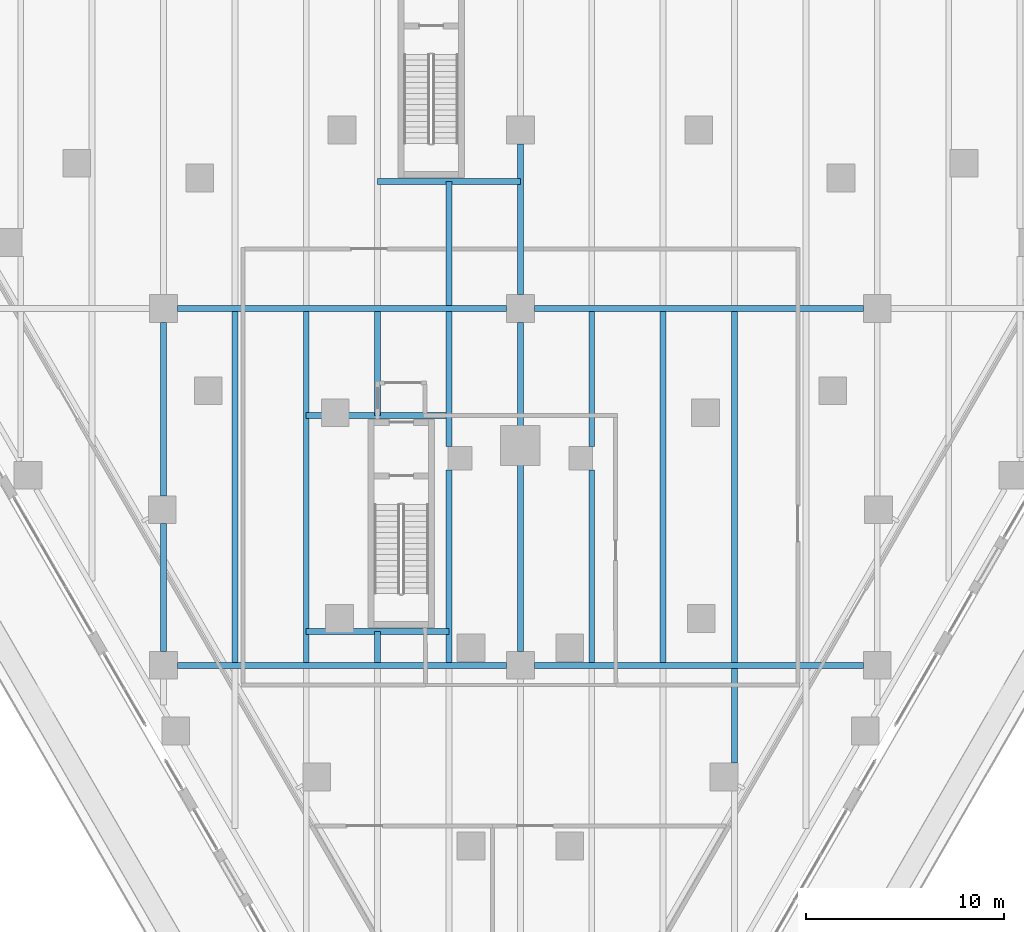
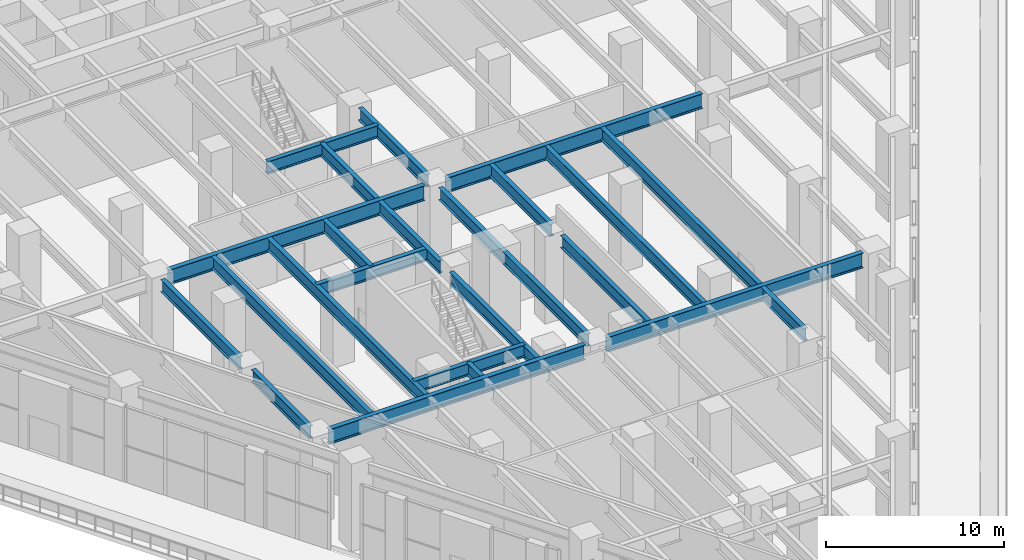
# One storey, part 7 of 40: 23 beams.
"""IFC4 building model written with IfcOpenShell, lengths in metres."""

from ifc_helpers import new_model, si_unit, direction, frame, origin, origin_2d, place, context, subcontext, project, spatial, i_section, extrude, material, material_profile, profile_set, type_object, element, save


model = new_model("IFC4")

# Units and contexts
model_context = context("Model", 3, precision=1e-05, world=origin(), true_north=direction((0.0, 1.0)))
body_context = subcontext(model_context, "Body", "Model", "MODEL_VIEW")
ifc_project = project(units=[si_unit("LENGTHUNIT", "METRE"), si_unit("AREAUNIT", "SQUARE_METRE"), si_unit("VOLUMEUNIT", "CUBIC_METRE"), si_unit("PLANEANGLEUNIT", "RADIAN"), si_unit("MASSUNIT", "GRAM", prefix="KILO")], contexts=[model_context])

# Site, building, storey
site_placement = place(None, origin())
site = spatial("IfcSite", under=ifc_project, at=site_placement, CompositionType="ELEMENT")
building_placement = place(site_placement, origin())
building = spatial("IfcBuilding", under=site, at=building_placement, Name="Aloe Facet Convention Tower", CompositionType="ELEMENT")
storey_placement = place(building_placement, frame((0.0, 0.0, 13.5)))
storey = spatial("IfcBuildingStorey", under=building, at=storey_placement, Name="L02", CompositionType="ELEMENT", Elevation=13.5)

# Beams
ifc_material_1 = material(Name="Steel S355", Category="steel")
ifc_material_profile_1 = material_profile(ifc_material_1, i_section(OverallWidth=0.305419921875, OverallDepth=1.02587890625, WebThickness=0.02001953125, FlangeThickness=0.031005859375, FilletRadius=0.030029296875, at=origin_2d()), Name="UB 1016x305x349")
ifc_profile_set_1 = profile_set([ifc_material_profile_1], Name="Steel S355")
beam_type_1 = type_object("IfcBeamType", Name="SF-B-UB1016x305x349", PredefinedType="BEAM", material=ifc_profile_set_1)
for number, where, z_axis, x_axis, name in (
    (1, (62.699951171875, 81.0, 5.237060546875), (1.0, 0.0, 0.0), (0.0, 1.0, 0.0), "Floor beam FB-L03-030"),
    (2, (62.699951171875, 99.0, 5.237060546875), (1.0, 0.0, 0.0), (0.0, 1.0, 0.0), "Floor beam FB-L03-031"),
    (3, (80.699951171875, 81.0, 5.237060546875), (1.0, 0.0, 0.0), (0.0, 1.0, 0.0), "Floor beam FB-L03-034"),
    (4, (80.699951171875, 99.0, 5.237060546875), (1.0, 0.0, 0.0), (0.0, 1.0, 0.0), "Floor beam FB-L03-035"),
):
    element("IfcBeam", number, at=place(storey_placement, frame(where, z_axis=z_axis, x_axis=x_axis)), inside=storey, type_object=beam_type_1, Name=name, PredefinedType="BEAM", context=body_context, shape_type="SweptSolid", body=[
        extrude(i_section(OverallWidth=0.305419921875, OverallDepth=1.02587890625, WebThickness=0.02001953125, FlangeThickness=0.031005859375, FilletRadius=0.030029296875, at=origin_2d()), origin(), (0.0, 0.0, 1.0), 16.60009765625),
    ])
ifc_material_2 = material(Name="Steel S355", Category="steel")
ifc_material_profile_2 = material_profile(ifc_material_2, i_section(OverallWidth=0.293701171875, OverallDepth=0.850830078125, WebThickness=0.01611328125, FlangeThickness=0.02685546875, FilletRadius=0.017822265625, at=origin_2d()), Name="UB 838x292x226")
ifc_profile_set_2 = profile_set([ifc_material_profile_2], Name="Steel S355")
beam_type_2 = type_object("IfcBeamType", Name="SF-B-UB838x292x226", PredefinedType="BEAM", material=ifc_profile_set_2)
beam_1_placement = place(storey_placement, frame((62.0, 81.699951171875, 5.324462890625), z_axis=(0.0, 1.0, 0.0), x_axis=(-1.0, 0.0, 0.0)))
element("IfcBeam", 5, at=beam_1_placement, inside=storey, type_object=beam_type_2, Name="Floor beam FB-L03-059", PredefinedType="BEAM", context=body_context, shape_type="SweptSolid", body=[
    extrude(i_section(OverallWidth=0.293701171875, OverallDepth=0.850830078125, WebThickness=0.01611328125, FlangeThickness=0.02685546875, FilletRadius=0.017822265625, at=origin_2d()), origin(), (0.0, 0.0, 1.0), 6.445068359375),
])
beam_2_placement = place(storey_placement, frame((62.0, 89.544921875, 5.324462890625), z_axis=(0.0, 1.0, 0.0), x_axis=(-1.0, 0.0, 0.0)))
element("IfcBeam", 6, at=beam_2_placement, inside=storey, type_object=beam_type_2, Name="Floor beam FB-L03-060", PredefinedType="BEAM", context=body_context, shape_type="SweptSolid", body=[
    extrude(i_section(OverallWidth=0.293701171875, OverallDepth=0.850830078125, WebThickness=0.01611328125, FlangeThickness=0.02685546875, FilletRadius=0.017822265625, at=origin_2d()), origin(), (0.0, 0.0, 1.0), 8.755126953125),
])
for number, where, z_axis, x_axis, name in (
    (7, (65.60009765625, 81.152587890625, 5.324462890625), (0.0, 1.0, 0.0), (-1.0, 0.0, 0.0), "Floor beam FB-L03-064"),
    (8, (69.199951171875, 81.152587890625, 5.324462890625), (0.0, 1.0, 0.0), (-1.0, 0.0, 0.0), "Floor beam FB-L03-069"),
):
    element("IfcBeam", number, at=place(storey_placement, frame(where, z_axis=z_axis, x_axis=x_axis)), inside=storey, type_object=beam_type_2, Name=name, PredefinedType="BEAM", context=body_context, shape_type="SweptSolid", body=[
        extrude(i_section(OverallWidth=0.293701171875, OverallDepth=0.850830078125, WebThickness=0.01611328125, FlangeThickness=0.02685546875, FilletRadius=0.017822265625, at=origin_2d()), origin(), (0.0, 0.0, 1.0), 17.69482421875),
    ])
for number, where, z_axis, x_axis, name in (
    (9, (69.199951171875, 82.699951171875, 5.324462890625), (1.0, 0.0, 0.0), (0.0, 1.0, 0.0), "Floor beam FB-L03-070"),
    (10, (69.199951171875, 93.60009765625, 5.324462890625), (1.0, 0.0, 0.0), (0.0, 1.0, 0.0), "Floor beam FB-L03-071"),
):
    element("IfcBeam", number, at=place(storey_placement, frame(where, z_axis=z_axis, x_axis=x_axis)), inside=storey, type_object=beam_type_2, Name=name, PredefinedType="BEAM", context=body_context, shape_type="SweptSolid", body=[
        extrude(i_section(OverallWidth=0.293701171875, OverallDepth=0.850830078125, WebThickness=0.01611328125, FlangeThickness=0.02685546875, FilletRadius=0.017822265625, at=origin_2d()), origin(), (0.0, 0.0, 1.0), 7.199951171875),
    ])
beam_3_placement = place(storey_placement, frame((72.800048828125, 81.152587890625, 5.324462890625), z_axis=(0.0, 1.0, 0.0), x_axis=(-1.0, 0.0, 0.0)))
element("IfcBeam", 11, at=beam_3_placement, inside=storey, type_object=beam_type_2, Name="Floor beam FB-L03-076", PredefinedType="BEAM", context=body_context, shape_type="SweptSolid", body=[
    extrude(i_section(OverallWidth=0.293701171875, OverallDepth=0.850830078125, WebThickness=0.01611328125, FlangeThickness=0.02685546875, FilletRadius=0.017822265625, at=origin_2d()), origin(), (0.0, 0.0, 1.0), 1.54736328125),
])
beam_4_placement = place(storey_placement, frame((72.800048828125, 93.60009765625, 5.324462890625), z_axis=(0.0, 1.0, 0.0), x_axis=(-1.0, 0.0, 0.0)))
element("IfcBeam", 12, at=beam_4_placement, inside=storey, type_object=beam_type_2, Name="Floor beam FB-L03-077", PredefinedType="BEAM", context=body_context, shape_type="SweptSolid", body=[
    extrude(i_section(OverallWidth=0.293701171875, OverallDepth=0.850830078125, WebThickness=0.01611328125, FlangeThickness=0.02685546875, FilletRadius=0.017822265625, at=origin_2d()), origin(), (0.0, 0.0, 1.0), 5.247314453125),
])
beam_5_placement = place(storey_placement, frame((72.800048828125, 105.39990234375, 5.324462890625), z_axis=(1.0, 0.0, 0.0), x_axis=(0.0, 1.0, 0.0)))
element("IfcBeam", 13, at=beam_5_placement, inside=storey, type_object=beam_type_2, Name="Floor beam FB-L03-079", PredefinedType="BEAM", context=body_context, shape_type="SweptSolid", body=[
    extrude(i_section(OverallWidth=0.293701171875, OverallDepth=0.850830078125, WebThickness=0.01611328125, FlangeThickness=0.02685546875, FilletRadius=0.017822265625, at=origin_2d()), origin(), (0.0, 0.0, 1.0), 7.199951171875),
])
beam_6_placement = place(storey_placement, frame((76.39990234375, 81.152587890625, 5.324462890625), z_axis=(0.0, 1.0, 0.0), x_axis=(-1.0, 0.0, 0.0)))
element("IfcBeam", 14, at=beam_6_placement, inside=storey, type_object=beam_type_2, Name="Floor beam FB-L03-083", PredefinedType="BEAM", context=body_context, shape_type="SweptSolid", body=[
    extrude(i_section(OverallWidth=0.293701171875, OverallDepth=0.850830078125, WebThickness=0.01611328125, FlangeThickness=0.02685546875, FilletRadius=0.017822265625, at=origin_2d()), origin(), (0.0, 0.0, 1.0), 9.68994140625),
])
beam_7_placement = place(storey_placement, frame((76.39990234375, 92.04248046875, 5.324462890625), z_axis=(0.0, 1.0, 0.0), x_axis=(-1.0, 0.0, 0.0)))
element("IfcBeam", 15, at=beam_7_placement, inside=storey, type_object=beam_type_2, Name="Floor beam FB-L03-084", PredefinedType="BEAM", context=body_context, shape_type="SweptSolid", body=[
    extrude(i_section(OverallWidth=0.293701171875, OverallDepth=0.850830078125, WebThickness=0.01611328125, FlangeThickness=0.02685546875, FilletRadius=0.017822265625, at=origin_2d()), origin(), (0.0, 0.0, 1.0), 6.804931640625),
])
beam_8_placement = place(storey_placement, frame((76.39990234375, 99.152587890625, 5.324462890625), z_axis=(0.0, 1.0, 0.0), x_axis=(-1.0, 0.0, 0.0)))
element("IfcBeam", 16, at=beam_8_placement, inside=storey, type_object=beam_type_2, Name="Floor beam FB-L03-085", PredefinedType="BEAM", context=body_context, shape_type="SweptSolid", body=[
    extrude(i_section(OverallWidth=0.293701171875, OverallDepth=0.850830078125, WebThickness=0.01611328125, FlangeThickness=0.02685546875, FilletRadius=0.017822265625, at=origin_2d()), origin(), (0.0, 0.0, 1.0), 6.247314453125),
])
beam_9_placement = place(storey_placement, frame((80.0, 81.699951171875, 5.324462890625), z_axis=(0.0, 1.0, 0.0), x_axis=(-1.0, 0.0, 0.0)))
element("IfcBeam", 17, at=beam_9_placement, inside=storey, type_object=beam_type_2, Name="Floor beam FB-L03-089", PredefinedType="BEAM", context=body_context, shape_type="SweptSolid", body=[
    extrude(i_section(OverallWidth=0.293701171875, OverallDepth=0.850830078125, WebThickness=0.01611328125, FlangeThickness=0.02685546875, FilletRadius=0.017822265625, at=origin_2d()), origin(), (0.0, 0.0, 1.0), 16.60009765625),
])
beam_10_placement = place(storey_placement, frame((80.0, 99.699951171875, 5.324462890625), z_axis=(0.0, 1.0, 0.0), x_axis=(-1.0, 0.0, 0.0)))
element("IfcBeam", 18, at=beam_10_placement, inside=storey, type_object=beam_type_2, Name="Floor beam FB-L03-090", PredefinedType="BEAM", context=body_context, shape_type="SweptSolid", body=[
    extrude(i_section(OverallWidth=0.293701171875, OverallDepth=0.850830078125, WebThickness=0.01611328125, FlangeThickness=0.02685546875, FilletRadius=0.017822265625, at=origin_2d()), origin(), (0.0, 0.0, 1.0), 7.60009765625),
])
beam_11_placement = place(storey_placement, frame((83.60009765625, 81.152587890625, 5.324462890625), z_axis=(0.0, 1.0, 0.0), x_axis=(-1.0, 0.0, 0.0)))
element("IfcBeam", 19, at=beam_11_placement, inside=storey, type_object=beam_type_2, Name="Floor beam FB-L03-095", PredefinedType="BEAM", context=body_context, shape_type="SweptSolid", body=[
    extrude(i_section(OverallWidth=0.293701171875, OverallDepth=0.850830078125, WebThickness=0.01611328125, FlangeThickness=0.02685546875, FilletRadius=0.017822265625, at=origin_2d()), origin(), (0.0, 0.0, 1.0), 9.68994140625),
])
beam_12_placement = place(storey_placement, frame((83.60009765625, 92.04248046875, 5.324462890625), z_axis=(0.0, 1.0, 0.0), x_axis=(-1.0, 0.0, 0.0)))
element("IfcBeam", 20, at=beam_12_placement, inside=storey, type_object=beam_type_2, Name="Floor beam FB-L03-096", PredefinedType="BEAM", context=body_context, shape_type="SweptSolid", body=[
    extrude(i_section(OverallWidth=0.293701171875, OverallDepth=0.850830078125, WebThickness=0.01611328125, FlangeThickness=0.02685546875, FilletRadius=0.017822265625, at=origin_2d()), origin(), (0.0, 0.0, 1.0), 6.804931640625),
])
beam_13_placement = place(storey_placement, frame((87.199951171875, 81.152587890625, 5.324462890625), z_axis=(0.0, 1.0, 0.0), x_axis=(-1.0, 0.0, 0.0)))
element("IfcBeam", 21, at=beam_13_placement, inside=storey, type_object=beam_type_2, Name="Floor beam FB-L03-101", PredefinedType="BEAM", context=body_context, shape_type="SweptSolid", body=[
    extrude(i_section(OverallWidth=0.293701171875, OverallDepth=0.850830078125, WebThickness=0.01611328125, FlangeThickness=0.02685546875, FilletRadius=0.017822265625, at=origin_2d()), origin(), (0.0, 0.0, 1.0), 17.69482421875),
])
beam_14_placement = place(storey_placement, frame((90.800048828125, 76.06591796875, 5.324462890625), z_axis=(0.0, 1.0, 0.0), x_axis=(-1.0, 0.0, 0.0)))
element("IfcBeam", 22, at=beam_14_placement, inside=storey, type_object=beam_type_2, Name="Floor beam FB-L03-105", PredefinedType="BEAM", context=body_context, shape_type="SweptSolid", body=[
    extrude(i_section(OverallWidth=0.293701171875, OverallDepth=0.850830078125, WebThickness=0.01611328125, FlangeThickness=0.02685546875, FilletRadius=0.017822265625, at=origin_2d()), origin(), (0.0, 0.0, 1.0), 4.781494140625),
])
beam_15_placement = place(storey_placement, frame((90.800048828125, 81.152587890625, 5.324462890625), z_axis=(0.0, 1.0, 0.0), x_axis=(-1.0, 0.0, 0.0)))
element("IfcBeam", 23, at=beam_15_placement, inside=storey, type_object=beam_type_2, Name="Floor beam FB-L03-106", PredefinedType="BEAM", context=body_context, shape_type="SweptSolid", body=[
    extrude(i_section(OverallWidth=0.293701171875, OverallDepth=0.850830078125, WebThickness=0.01611328125, FlangeThickness=0.02685546875, FilletRadius=0.017822265625, at=origin_2d()), origin(), (0.0, 0.0, 1.0), 17.69482421875),
])

save(model, "model.ifc")
